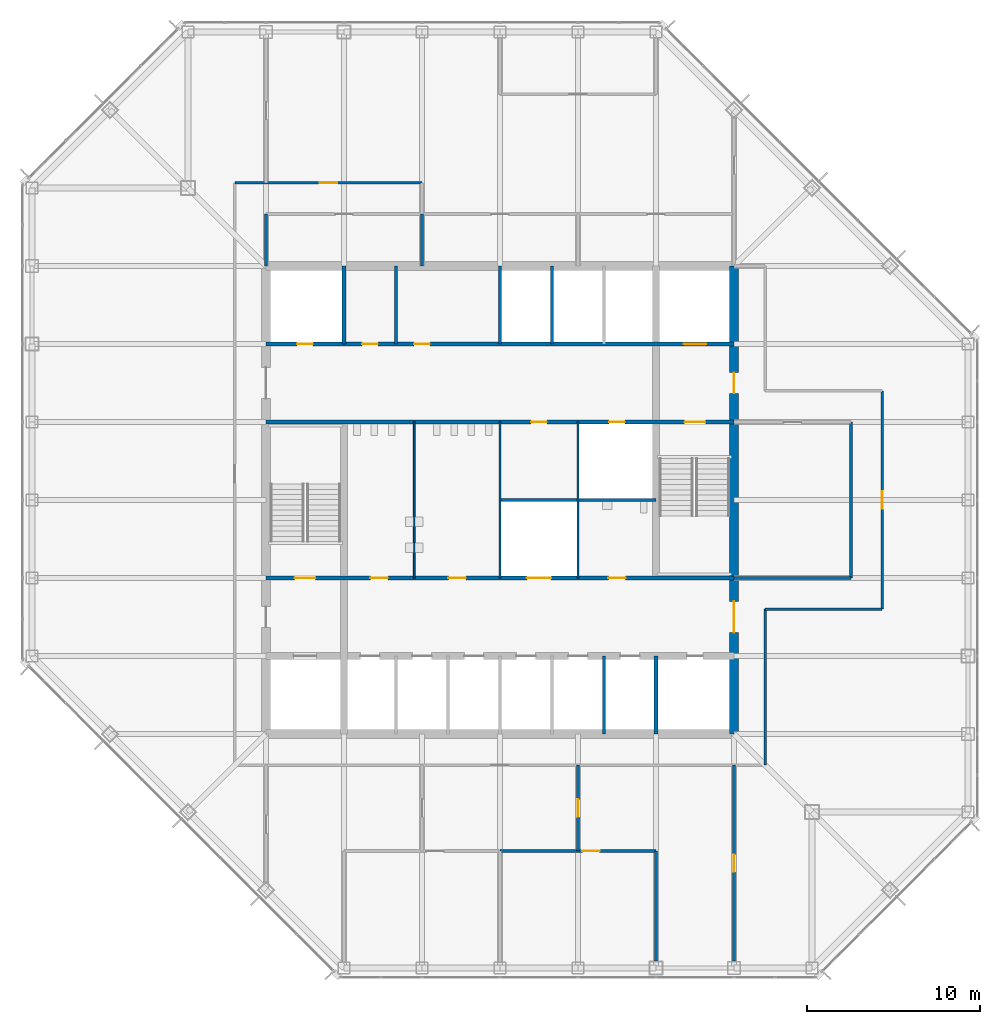
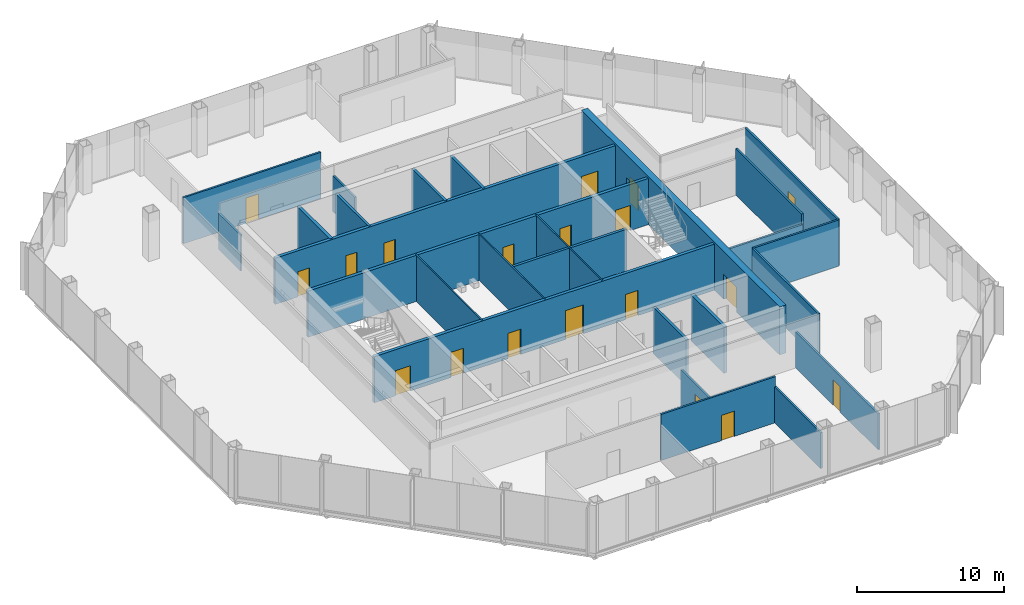
# One storey, part 9 of 12: 26 walls, 19 doors, 19 openings.
"""IFC4 building model written with IfcOpenShell, lengths in metres."""

from ifc_helpers import new_model, si_unit, direction, frame, frame_2d, origin, place, context, subcontext, project, spatial, rectangle, extrude, material, layer, layer_set, type_object, element, fill, save


model = new_model("IFC4")

# Units and contexts
model_context = context("Model", 3, precision=1e-05, world=origin(), true_north=direction((0.0, 1.0)))
body_context = subcontext(model_context, "Body", "Model", "MODEL_VIEW")
ifc_project = project(units=[si_unit("LENGTHUNIT", "METRE"), si_unit("AREAUNIT", "SQUARE_METRE"), si_unit("VOLUMEUNIT", "CUBIC_METRE"), si_unit("PLANEANGLEUNIT", "RADIAN"), si_unit("MASSUNIT", "GRAM", prefix="KILO")], contexts=[model_context])

# Site, building, storey
site_placement = place(None, origin())
site = spatial("IfcSite", under=ifc_project, at=site_placement, CompositionType="ELEMENT")
building_placement = place(site_placement, origin())
building = spatial("IfcBuilding", under=site, at=building_placement, Name="Corais Broadcast Tower", CompositionType="ELEMENT")
storey_placement = place(building_placement, frame((0.0, 0.0, 183.60009765625)))
storey = spatial("IfcBuildingStorey", under=building, at=storey_placement, Name="L42", CompositionType="ELEMENT", Elevation=183.60009765625)

# Walls
ifc_material_1 = material(Name="Concrete blockwork class A, grouted, two-hour", Category="masonry")
ifc_layer_1 = layer(ifc_material_1, 0.25)
ifc_layer_set_1 = layer_set([ifc_layer_1], Name="Concrete blockwork class A, grouted, two-hour")
wall_type_1 = type_object("IfcWallType", Name="Core lobby wall 250", PredefinedType="SOLIDWALL", material=ifc_layer_set_1)
for number, where, z_axis, x_axis, name in (
    (1, (18.0, 36.0, 0.0), (0.0, 0.0, 1.0), (0.0, 1.0, 0.0), "CL2 core shaft wall X18B L42"),
    (2, (36.0, 13.5, 0.0), (0.0, 0.0, 1.0), (0.0, 1.0, 0.0), "CL2 core shaft wall X36A L42"),
):
    element("IfcWall", number, at=place(storey_placement, frame(where, z_axis=z_axis, x_axis=x_axis)), inside=storey, type_object=wall_type_1, Name=name, PredefinedType="SOLIDWALL", context=body_context, shape_type="SweptSolid", body=[
        extrude(rectangle(XDim=4.5, YDim=0.25, at=frame_2d((2.25, 0.0))), origin(), (0.0, 0.0, 1.0), 3.83984375),
    ])

# Wall, openings, doors
wall_1_placement = place(storey_placement, frame((13.5, 22.5, 0.0), z_axis=(0.0, 0.0, 1.0), x_axis=(1.0, 0.0, 0.0)))
wall_1 = element("IfcWall", 3, at=wall_1_placement, inside=storey, type_object=wall_type_1, Name="CL2 core lobby wall Y225 L42", PredefinedType="SOLIDWALL", context=body_context, shape_type="SweptSolid", body=[
    extrude(rectangle(XDim=27.0, YDim=0.25, at=frame_2d((13.5, 0.0))), origin(), (0.0, 0.0, 1.0), 3.83984375),
])
opening_1_placement = place(wall_1_placement, frame((1.64990234375, 0.0, 0.0)))
opening_1 = element("IfcOpeningElement", 4, at=opening_1_placement, cuts=wall_1, Name="Opening FD1", PredefinedType="OPENING", context=body_context, shape_type="SweptSolid", body=[
    extrude(rectangle(XDim=1.199951171875, YDim=2.10009765625, at=frame_2d((0.60009765625, 1.050048828125))), frame((0.0, 0.135009765625, 0.0), z_axis=(0.0, -1.0, 0.0), x_axis=(1.0, 0.0, 0.0)), (0.0, 0.0, 1.0), 0.27001953125),
])
opening_2_placement = place(wall_1_placement, frame((6.02490234375, 0.0, 0.0)))
opening_2 = element("IfcOpeningElement", 5, at=opening_2_placement, cuts=wall_1, Name="Opening WD1", PredefinedType="OPENING", context=body_context, shape_type="SweptSolid", body=[
    extrude(rectangle(XDim=1.0, YDim=2.10009765625, at=frame_2d((0.5, 1.050048828125))), frame((0.0, 0.135009765625, 0.0), z_axis=(0.0, -1.0, 0.0), x_axis=(1.0, 0.0, 0.0)), (0.0, 0.0, 1.0), 0.27001953125),
])
opening_3_placement = place(wall_1_placement, frame((10.52490234375, 0.0, 0.0)))
opening_3 = element("IfcOpeningElement", 6, at=opening_3_placement, cuts=wall_1, Name="Opening WD1", PredefinedType="OPENING", context=body_context, shape_type="SweptSolid", body=[
    extrude(rectangle(XDim=1.0, YDim=2.10009765625, at=frame_2d((0.5, 1.050048828125))), frame((0.0, 0.135009765625, 0.0), z_axis=(0.0, -1.0, 0.0), x_axis=(1.0, 0.0, 0.0)), (0.0, 0.0, 1.0), 0.27001953125),
])
opening_4_placement = place(wall_1_placement, frame((19.75, 0.0, 0.0)))
opening_4 = element("IfcOpeningElement", 7, at=opening_4_placement, cuts=wall_1, Name="Opening WD1", PredefinedType="OPENING", context=body_context, shape_type="SweptSolid", body=[
    extrude(rectangle(XDim=1.0, YDim=2.10009765625, at=frame_2d((0.5, 1.050048828125))), frame((0.0, 0.135009765625, 0.0), z_axis=(0.0, -1.0, 0.0), x_axis=(1.0, 0.0, 0.0)), (0.0, 0.0, 1.0), 0.27001953125),
])
opening_5_placement = place(wall_1_placement, frame((15.050048828125, 0.0, 0.0)))
opening_5 = element("IfcOpeningElement", 8, at=opening_5_placement, cuts=wall_1, Name="Opening LD3", PredefinedType="OPENING", context=body_context, shape_type="SweptSolid", body=[
    extrude(rectangle(XDim=1.39990234375, YDim=2.39990234375, at=frame_2d((0.699951171875, 1.199951171875))), frame((0.0, 0.135009765625, 0.0), z_axis=(0.0, -1.0, 0.0), x_axis=(1.0, 0.0, 0.0)), (0.0, 0.0, 1.0), 0.27001953125),
])
ifc_material_2 = material(Name="Steel fire door", Category="steel")
door_type_1 = type_object("IfcDoorType", Name="Fire door 1200x2100", OperationType="SINGLE_SWING_LEFT", PredefinedType="DOOR", material=ifc_material_2)
door_1_placement = place(opening_1_placement, origin())
door_1 = element("IfcDoor", 9, at=door_1_placement, inside=storey, type_object=door_type_1, Name="FD1 stair A door L42", OperationType="SINGLE_SWING_LEFT", OverallHeight=2.10009765625, OverallWidth=1.199951171875, PredefinedType="DOOR", context=body_context, shape_type="SweptSolid", body=[
    extrude(rectangle(XDim=1.199951171875, YDim=2.10009765625, at=frame_2d((0.60009765625, 1.050048828125))), frame((0.0, 0.02490234375, 0.0), z_axis=(0.0, -1.0, 0.0), x_axis=(1.0, 0.0, 0.0)), (0.0, 0.0, 1.0), 0.050048828125),
])
fill(opening_1, door_1)
ifc_material_3 = material(Name="Stainless steel lift door", Category="steel")
door_type_2 = type_object("IfcDoorType", Name="Service lift landing door 1400x2400", OperationType="SLIDING_TO_LEFT", PredefinedType="DOOR", material=ifc_material_3)
door_2_placement = place(opening_5_placement, origin())
door_2 = element("IfcDoor", 10, at=door_2_placement, inside=storey, type_object=door_type_2, Name="LD3 SL1 landing door L42", OperationType="SLIDING_TO_LEFT", OverallHeight=2.39990234375, OverallWidth=1.39990234375, PredefinedType="DOOR", context=body_context, shape_type="SweptSolid", body=[
    extrude(rectangle(XDim=1.39990234375, YDim=2.39990234375, at=frame_2d((0.699951171875, 1.199951171875))), frame((0.0, 0.02490234375, 0.0), z_axis=(0.0, -1.0, 0.0), x_axis=(1.0, 0.0, 0.0)), (0.0, 0.0, 1.0), 0.050048828125),
])
fill(opening_5, door_2)
ifc_material_4 = material(Name="Timber door", Category="wood")
door_type_3 = type_object("IfcDoorType", Name="Toilet door 1000x2100", OperationType="SINGLE_SWING_LEFT", PredefinedType="DOOR", material=ifc_material_4)
door_3_placement = place(opening_2_placement, origin())
door_3 = element("IfcDoor", 11, at=door_3_placement, inside=storey, type_object=door_type_3, Name="WD1 WC male door L42", OperationType="SINGLE_SWING_LEFT", OverallHeight=2.10009765625, OverallWidth=1.0, PredefinedType="DOOR", context=body_context, shape_type="SweptSolid", body=[
    extrude(rectangle(XDim=1.0, YDim=2.10009765625, at=frame_2d((0.5, 1.050048828125))), frame((0.0, 0.02490234375, 0.0), z_axis=(0.0, -1.0, 0.0), x_axis=(1.0, 0.0, 0.0)), (0.0, 0.0, 1.0), 0.050048828125),
])
fill(opening_2, door_3)
door_4_placement = place(opening_3_placement, origin())
door_4 = element("IfcDoor", 12, at=door_4_placement, inside=storey, type_object=door_type_3, Name="WD1 WC female door L42", OperationType="SINGLE_SWING_LEFT", OverallHeight=2.10009765625, OverallWidth=1.0, PredefinedType="DOOR", context=body_context, shape_type="SweptSolid", body=[
    extrude(rectangle(XDim=1.0, YDim=2.10009765625, at=frame_2d((0.5, 1.050048828125))), frame((0.0, 0.02490234375, 0.0), z_axis=(0.0, -1.0, 0.0), x_axis=(1.0, 0.0, 0.0)), (0.0, 0.0, 1.0), 0.050048828125),
])
fill(opening_3, door_4)
door_5_placement = place(opening_4_placement, origin())
door_5 = element("IfcDoor", 13, at=door_5_placement, inside=storey, type_object=door_type_3, Name="WD1 accessible WC door L42", OperationType="SINGLE_SWING_RIGHT", OverallHeight=2.10009765625, OverallWidth=1.0, PredefinedType="DOOR", context=body_context, shape_type="SweptSolid", body=[
    extrude(rectangle(XDim=1.0, YDim=2.10009765625, at=frame_2d((0.5, 1.050048828125))), frame((0.0, 0.02490234375, 0.0), z_axis=(0.0, -1.0, 0.0), x_axis=(1.0, 0.0, 0.0)), (0.0, 0.0, 1.0), 0.050048828125),
])
fill(opening_4, door_5)

wall_2_placement = place(storey_placement, frame((13.5, 31.5, 0.0), z_axis=(0.0, 0.0, 1.0), x_axis=(1.0, 0.0, 0.0)))
wall_2 = element("IfcWall", 14, at=wall_2_placement, inside=storey, type_object=wall_type_1, Name="CL2 core lobby wall Y315 L42", PredefinedType="SOLIDWALL", context=body_context, shape_type="SweptSolid", body=[
    extrude(rectangle(XDim=27.0, YDim=0.25, at=frame_2d((13.5, 0.0))), origin(), (0.0, 0.0, 1.0), 3.83984375),
])
opening_6_placement = place(wall_2_placement, frame((24.14990234375, 0.0, 0.0)))
opening_6 = element("IfcOpeningElement", 15, at=opening_6_placement, cuts=wall_2, Name="Opening FD1", PredefinedType="OPENING", context=body_context, shape_type="SweptSolid", body=[
    extrude(rectangle(XDim=1.199951171875, YDim=2.10009765625, at=frame_2d((0.60009765625, 1.050048828125))), frame((0.0, 0.135009765625, 0.0), z_axis=(0.0, -1.0, 0.0), x_axis=(1.0, 0.0, 0.0)), (0.0, 0.0, 1.0), 0.27001953125),
])
opening_7_placement = place(wall_2_placement, frame((15.300048828125, 0.0, 0.0)))
opening_7 = element("IfcOpeningElement", 16, at=opening_7_placement, cuts=wall_2, Name="Opening RD1", PredefinedType="OPENING", context=body_context, shape_type="SweptSolid", body=[
    extrude(rectangle(XDim=0.89990234375, YDim=2.10009765625, at=frame_2d((0.449951171875, 1.050048828125))), frame((0.0, 0.135009765625, 0.0), z_axis=(0.0, -1.0, 0.0), x_axis=(1.0, 0.0, 0.0)), (0.0, 0.0, 1.0), 0.27001953125),
])
opening_8_placement = place(wall_2_placement, frame((19.800048828125, 0.0, 0.0)))
opening_8 = element("IfcOpeningElement", 17, at=opening_8_placement, cuts=wall_2, Name="Opening RD1", PredefinedType="OPENING", context=body_context, shape_type="SweptSolid", body=[
    extrude(rectangle(XDim=0.89990234375, YDim=2.10009765625, at=frame_2d((0.449951171875, 1.050048828125))), frame((0.0, 0.135009765625, 0.0), z_axis=(0.0, -1.0, 0.0), x_axis=(1.0, 0.0, 0.0)), (0.0, 0.0, 1.0), 0.27001953125),
])
door_6_placement = place(opening_6_placement, origin())
door_6 = element("IfcDoor", 18, at=door_6_placement, inside=storey, type_object=door_type_1, Name="FD1 stair B door L42", OperationType="SINGLE_SWING_RIGHT", OverallHeight=2.10009765625, OverallWidth=1.199951171875, PredefinedType="DOOR", context=body_context, shape_type="SweptSolid", body=[
    extrude(rectangle(XDim=1.199951171875, YDim=2.10009765625, at=frame_2d((0.60009765625, 1.050048828125))), frame((0.0, 0.02490234375, 0.0), z_axis=(0.0, -1.0, 0.0), x_axis=(1.0, 0.0, 0.0)), (0.0, 0.0, 1.0), 0.050048828125),
])
fill(opening_6, door_6)
ifc_material_5 = material(Name="Steel fire door", Category="steel")
door_type_4 = type_object("IfcDoorType", Name="Riser door 900x2100", OperationType="SINGLE_SWING_LEFT", PredefinedType="DOOR", material=ifc_material_5)
door_7_placement = place(opening_7_placement, origin())
door_7 = element("IfcDoor", 19, at=door_7_placement, inside=storey, type_object=door_type_4, Name="RD1 print room door L42", OperationType="SINGLE_SWING_RIGHT", OverallHeight=2.10009765625, OverallWidth=0.89990234375, PredefinedType="DOOR", context=body_context, shape_type="SweptSolid", body=[
    extrude(rectangle(XDim=0.89990234375, YDim=2.10009765625, at=frame_2d((0.449951171875, 1.050048828125))), frame((0.0, 0.02490234375, 0.0), z_axis=(0.0, -1.0, 0.0), x_axis=(1.0, 0.0, 0.0)), (0.0, 0.0, 1.0), 0.050048828125),
])
fill(opening_7, door_7)
door_8_placement = place(opening_8_placement, origin())
door_8 = element("IfcDoor", 20, at=door_8_placement, inside=storey, type_object=door_type_4, Name="RD1 riser door L42", OperationType="SINGLE_SWING_RIGHT", OverallHeight=2.10009765625, OverallWidth=0.89990234375, PredefinedType="DOOR", context=body_context, shape_type="SweptSolid", body=[
    extrude(rectangle(XDim=0.89990234375, YDim=2.10009765625, at=frame_2d((0.449951171875, 1.050048828125))), frame((0.0, 0.02490234375, 0.0), z_axis=(0.0, -1.0, 0.0), x_axis=(1.0, 0.0, 0.0)), (0.0, 0.0, 1.0), 0.050048828125),
])
fill(opening_8, door_8)

ifc_material_6 = material(Name="Concrete C50/60", Category="concrete")
ifc_layer_2 = layer(ifc_material_6, 0.5)
ifc_layer_set_2 = layer_set([ifc_layer_2], Name="Concrete C50/60")
wall_type_2 = type_object("IfcWallType", Name="Core wall 500", PredefinedType="SHEAR", material=ifc_layer_set_2)
wall_3_placement = place(storey_placement, frame((40.5, 13.5, 0.0), z_axis=(0.0, 0.0, 1.0), x_axis=(0.0, 1.0, 0.0)))
wall_3 = element("IfcWall", 21, at=wall_3_placement, inside=storey, type_object=wall_type_2, Name="CR500 core wall E L42", PredefinedType="SHEAR", context=body_context, shape_type="SweptSolid", body=[
    extrude(rectangle(XDim=27.0, YDim=0.5, at=frame_2d((13.5, 0.0))), origin(), (0.0, 0.0, 1.0), 4.0),
])
opening_9_placement = place(wall_3_placement, frame((5.85009765625, 0.0, 0.0)))
opening_9 = element("IfcOpeningElement", 22, at=opening_9_placement, cuts=wall_3, Name="Opening FD2", PredefinedType="OPENING", context=body_context, shape_type="SweptSolid", body=[
    extrude(rectangle(XDim=1.800048828125, YDim=2.10009765625, at=frame_2d((0.89990234375, 1.050048828125))), frame((0.0, 0.260009765625, 0.0), z_axis=(0.0, -1.0, 0.0), x_axis=(1.0, 0.0, 0.0)), (0.0, 0.0, 1.0), 0.52001953125),
])
opening_10_placement = place(wall_3_placement, frame((19.64990234375, 0.0, 0.0)))
opening_10 = element("IfcOpeningElement", 23, at=opening_10_placement, cuts=wall_3, Name="Opening FD1", PredefinedType="OPENING", context=body_context, shape_type="SweptSolid", body=[
    extrude(rectangle(XDim=1.199951171875, YDim=2.10009765625, at=frame_2d((0.60009765625, 1.050048828125))), frame((0.0, 0.260009765625, 0.0), z_axis=(0.0, -1.0, 0.0), x_axis=(1.0, 0.0, 0.0)), (0.0, 0.0, 1.0), 0.52001953125),
])
door_9_placement = place(opening_10_placement, origin())
door_9 = element("IfcDoor", 24, at=door_9_placement, inside=storey, type_object=door_type_1, Name="FD1 fire lobby B door L42", OperationType="SINGLE_SWING_RIGHT", OverallHeight=2.10009765625, OverallWidth=1.199951171875, PredefinedType="DOOR", context=body_context, shape_type="SweptSolid", body=[
    extrude(rectangle(XDim=1.199951171875, YDim=2.10009765625, at=frame_2d((0.60009765625, 1.050048828125))), frame((0.0, 0.02490234375, 0.0), z_axis=(0.0, -1.0, 0.0), x_axis=(1.0, 0.0, 0.0)), (0.0, 0.0, 1.0), 0.050048828125),
])
fill(opening_10, door_9)
ifc_material_7 = material(Name="Steel fire door", Category="steel")
door_type_5 = type_object("IfcDoorType", Name="Fire door pair 1800x2100", OperationType="DOUBLE_DOOR_SINGLE_SWING", PredefinedType="DOOR", material=ifc_material_7)
door_10_placement = place(opening_9_placement, origin())
door_10 = element("IfcDoor", 25, at=door_10_placement, inside=storey, type_object=door_type_5, Name="FD2 lift lobby door L42", OperationType="SINGLE_SWING_LEFT", OverallHeight=2.10009765625, OverallWidth=1.800048828125, PredefinedType="DOOR", context=body_context, shape_type="SweptSolid", body=[
    extrude(rectangle(XDim=1.800048828125, YDim=2.10009765625, at=frame_2d((0.89990234375, 1.050048828125))), frame((0.0, 0.02490234375, 0.0), z_axis=(0.0, -1.0, 0.0), x_axis=(1.0, 0.0, 0.0)), (0.0, 0.0, 1.0), 0.050048828125),
])
fill(opening_9, door_10)

ifc_material_8 = material(Name="Concrete blockwork class A, grouted, four-hour", Category="masonry")
ifc_layer_3 = layer(ifc_material_8, 0.25)
ifc_layer_set_3 = layer_set([ifc_layer_3], Name="Concrete blockwork class A, grouted, four-hour")
wall_type_3 = type_object("IfcWallType", Name="Emergency lift shaft wall 250", PredefinedType="SOLIDWALL", material=ifc_layer_set_3)
wall_4_placement = place(storey_placement, frame((13.5, 36.0, 0.0), z_axis=(0.0, 0.0, 1.0), x_axis=(1.0, 0.0, 0.0)))
wall_4 = element("IfcWall", 26, at=wall_4_placement, inside=storey, type_object=wall_type_3, Name="LS2 core lobby wall Y36 L42", PredefinedType="SOLIDWALL", context=body_context, shape_type="SweptSolid", body=[
    extrude(rectangle(XDim=27.0, YDim=0.25, at=frame_2d((13.5, 0.0))), origin(), (0.0, 0.0, 1.0), 3.83984375),
])
opening_11_placement = place(wall_4_placement, frame((1.800048828125, 0.0, 0.0)))
opening_11 = element("IfcOpeningElement", 27, at=opening_11_placement, cuts=wall_4, Name="Opening RD1", PredefinedType="OPENING", context=body_context, shape_type="SweptSolid", body=[
    extrude(rectangle(XDim=0.89990234375, YDim=2.10009765625, at=frame_2d((0.449951171875, 1.050048828125))), frame((0.0, 0.135009765625, 0.0), z_axis=(0.0, -1.0, 0.0), x_axis=(1.0, 0.0, 0.0)), (0.0, 0.0, 1.0), 0.27001953125),
])
opening_12_placement = place(wall_4_placement, frame((5.550048828125, 0.0, 0.0)))
opening_12 = element("IfcOpeningElement", 28, at=opening_12_placement, cuts=wall_4, Name="Opening RD1", PredefinedType="OPENING", context=body_context, shape_type="SweptSolid", body=[
    extrude(rectangle(XDim=0.89990234375, YDim=2.10009765625, at=frame_2d((0.449951171875, 1.050048828125))), frame((0.0, 0.135009765625, 0.0), z_axis=(0.0, -1.0, 0.0), x_axis=(1.0, 0.0, 0.0)), (0.0, 0.0, 1.0), 0.27001953125),
])
opening_13_placement = place(wall_4_placement, frame((8.550048828125, 0.0, 0.0)))
opening_13 = element("IfcOpeningElement", 29, at=opening_13_placement, cuts=wall_4, Name="Opening RD1", PredefinedType="OPENING", context=body_context, shape_type="SweptSolid", body=[
    extrude(rectangle(XDim=0.89990234375, YDim=2.10009765625, at=frame_2d((0.449951171875, 1.050048828125))), frame((0.0, 0.135009765625, 0.0), z_axis=(0.0, -1.0, 0.0), x_axis=(1.0, 0.0, 0.0)), (0.0, 0.0, 1.0), 0.27001953125),
])
opening_14_placement = place(wall_4_placement, frame((24.10009765625, 0.0, 0.0)))
opening_14 = element("IfcOpeningElement", 30, at=opening_14_placement, cuts=wall_4, Name="Opening LD2", PredefinedType="OPENING", context=body_context, shape_type="SweptSolid", body=[
    extrude(rectangle(XDim=1.300048828125, YDim=2.199951171875, at=frame_2d((0.64990234375, 1.10009765625))), frame((0.0, 0.135009765625, 0.0), z_axis=(0.0, -1.0, 0.0), x_axis=(1.0, 0.0, 0.0)), (0.0, 0.0, 1.0), 0.27001953125),
])
ifc_material_9 = material(Name="Stainless steel lift door", Category="steel")
door_type_6 = type_object("IfcDoorType", Name="Lift landing door 1300x2200", OperationType="SLIDING_TO_LEFT", PredefinedType="DOOR", material=ifc_material_9)
door_11_placement = place(opening_14_placement, origin())
door_11 = element("IfcDoor", 31, at=door_11_placement, inside=storey, type_object=door_type_6, Name="LD2 FL2 landing door L42", OperationType="SLIDING_TO_LEFT", OverallHeight=2.199951171875, OverallWidth=1.300048828125, PredefinedType="DOOR", context=body_context, shape_type="SweptSolid", body=[
    extrude(rectangle(XDim=1.300048828125, YDim=2.199951171875, at=frame_2d((0.64990234375, 1.10009765625))), frame((0.0, 0.02490234375, 0.0), z_axis=(0.0, -1.0, 0.0), x_axis=(1.0, 0.0, 0.0)), (0.0, 0.0, 1.0), 0.050048828125),
])
fill(opening_14, door_11)
door_12_placement = place(opening_11_placement, origin())
door_12 = element("IfcDoor", 32, at=door_12_placement, inside=storey, type_object=door_type_4, Name="RD1 riser door L42", OperationType="SINGLE_SWING_LEFT", OverallHeight=2.10009765625, OverallWidth=0.89990234375, PredefinedType="DOOR", context=body_context, shape_type="SweptSolid", body=[
    extrude(rectangle(XDim=0.89990234375, YDim=2.10009765625, at=frame_2d((0.449951171875, 1.050048828125))), frame((0.0, 0.02490234375, 0.0), z_axis=(0.0, -1.0, 0.0), x_axis=(1.0, 0.0, 0.0)), (0.0, 0.0, 1.0), 0.050048828125),
])
fill(opening_11, door_12)
door_13_placement = place(opening_12_placement, origin())
door_13 = element("IfcDoor", 33, at=door_13_placement, inside=storey, type_object=door_type_4, Name="RD1 media store door L42", OperationType="SINGLE_SWING_LEFT", OverallHeight=2.10009765625, OverallWidth=0.89990234375, PredefinedType="DOOR", context=body_context, shape_type="SweptSolid", body=[
    extrude(rectangle(XDim=0.89990234375, YDim=2.10009765625, at=frame_2d((0.449951171875, 1.050048828125))), frame((0.0, 0.02490234375, 0.0), z_axis=(0.0, -1.0, 0.0), x_axis=(1.0, 0.0, 0.0)), (0.0, 0.0, 1.0), 0.050048828125),
])
fill(opening_12, door_13)
door_14_placement = place(opening_13_placement, origin())
door_14 = element("IfcDoor", 34, at=door_14_placement, inside=storey, type_object=door_type_4, Name="RD1 tea point door L42", OperationType="SINGLE_SWING_LEFT", OverallHeight=2.10009765625, OverallWidth=0.89990234375, PredefinedType="DOOR", context=body_context, shape_type="SweptSolid", body=[
    extrude(rectangle(XDim=0.89990234375, YDim=2.10009765625, at=frame_2d((0.449951171875, 1.050048828125))), frame((0.0, 0.02490234375, 0.0), z_axis=(0.0, -1.0, 0.0), x_axis=(1.0, 0.0, 0.0)), (0.0, 0.0, 1.0), 0.050048828125),
])
fill(opening_13, door_14)

# Wall, opening, door
ifc_material_10 = material(Name="Gypsum board on steel studs", Category="steel")
ifc_layer_4 = layer(ifc_material_10, 0.14990234375)
ifc_layer_set_4 = layer_set([ifc_layer_4], Name="Gypsum board on steel studs")
wall_type_4 = type_object("IfcWallType", Name="Partition 150", PredefinedType="PARTITIONING", material=ifc_layer_set_4)
wall_5_placement = place(storey_placement, frame((49.050048828125, 20.699951171875, 0.0), z_axis=(0.0, 0.0, 1.0), x_axis=(0.0, 1.0, 0.0)))
wall_5 = element("IfcWall", 35, at=wall_5_placement, inside=storey, type_object=wall_type_4, Name="IW3 corridor wall L42", PredefinedType="PARTITIONING", context=body_context, shape_type="SweptSolid", body=[
    extrude(rectangle(XDim=12.60009765625, YDim=0.14990234375, at=frame_2d((6.300048828125, 0.0))), origin(), (0.0, 0.0, 1.0), 3.83984375),
])
opening_15_placement = place(wall_5_placement, frame((5.800048828125, 0.0, 0.0)))
opening_15 = element("IfcOpeningElement", 36, at=opening_15_placement, cuts=wall_5, Name="Opening D1", PredefinedType="OPENING", context=body_context, shape_type="SweptSolid", body=[
    extrude(rectangle(XDim=1.0, YDim=2.10009765625, at=frame_2d((0.5, 1.050048828125))), frame((0.0, 0.0849609375, 0.0), z_axis=(0.0, -1.0, 0.0), x_axis=(1.0, 0.0, 0.0)), (0.0, 0.0, 1.0), 0.169921875),
])
ifc_material_11 = material(Name="Timber door", Category="wood")
door_type_7 = type_object("IfcDoorType", Name="Single door 1000x2100", OperationType="SINGLE_SWING_LEFT", PredefinedType="DOOR", material=ifc_material_11)
door_15_placement = place(opening_15_placement, origin())
door_15 = element("IfcDoor", 37, at=door_15_placement, inside=storey, type_object=door_type_7, Name="D1 workplace door L42", OperationType="SINGLE_SWING_LEFT", OverallHeight=2.10009765625, OverallWidth=1.0, PredefinedType="DOOR", context=body_context, shape_type="SweptSolid", body=[
    extrude(rectangle(XDim=1.0, YDim=2.10009765625, at=frame_2d((0.5, 1.050048828125))), frame((0.0, 0.02490234375, 0.0), z_axis=(0.0, -1.0, 0.0), x_axis=(1.0, 0.0, 0.0)), (0.0, 0.0, 1.0), 0.050048828125),
])
fill(opening_15, door_15)

wall_6_placement = place(storey_placement, frame((22.5, 45.300048828125, 0.0), z_axis=(0.0, 0.0, 1.0), x_axis=(-1.0, 0.0, 0.0)))
wall_6 = element("IfcWall", 38, at=wall_6_placement, inside=storey, type_object=wall_type_4, Name="IW3 corridor wall L42", PredefinedType="PARTITIONING", context=body_context, shape_type="SweptSolid", body=[
    extrude(rectangle(XDim=10.800048828125, YDim=0.14990234375, at=frame_2d((5.39990234375, 0.0))), origin(), (0.0, 0.0, 1.0), 3.83984375),
])
opening_16_placement = place(wall_6_placement, frame((4.89990234375, 0.0, 0.0)))
opening_16 = element("IfcOpeningElement", 39, at=opening_16_placement, cuts=wall_6, Name="Opening D1", PredefinedType="OPENING", context=body_context, shape_type="SweptSolid", body=[
    extrude(rectangle(XDim=1.0, YDim=2.10009765625, at=frame_2d((0.5, 1.050048828125))), frame((0.0, 0.0849609375, 0.0), z_axis=(0.0, -1.0, 0.0), x_axis=(1.0, 0.0, 0.0)), (0.0, 0.0, 1.0), 0.169921875),
])
door_16_placement = place(opening_16_placement, origin())
door_16 = element("IfcDoor", 40, at=door_16_placement, inside=storey, type_object=door_type_7, Name="D1 workplace door L42", OperationType="SINGLE_SWING_LEFT", OverallHeight=2.10009765625, OverallWidth=1.0, PredefinedType="DOOR", context=body_context, shape_type="SweptSolid", body=[
    extrude(rectangle(XDim=1.0, YDim=2.10009765625, at=frame_2d((0.5, 1.050048828125))), frame((0.0, 0.02490234375, 0.0), z_axis=(0.0, -1.0, 0.0), x_axis=(1.0, 0.0, 0.0)), (0.0, 0.0, 1.0), 0.050048828125),
])
fill(opening_16, door_16)

# Walls
wall_7_placement = place(storey_placement, frame((42.300048828125, 11.699951171875, 0.0), z_axis=(0.0, 0.0, 1.0), x_axis=(0.0, 1.0, 0.0)))
element("IfcWall", 41, at=wall_7_placement, inside=storey, type_object=wall_type_4, Name="IW3 corridor wall L42", PredefinedType="PARTITIONING", context=body_context, shape_type="SweptSolid", body=[
    extrude(rectangle(XDim=9.0, YDim=0.14990234375, at=frame_2d((4.5, 0.0))), origin(), (0.0, 0.0, 1.0), 3.83984375),
])
wall_8_placement = place(storey_placement, frame((42.300048828125, 20.699951171875, 0.0), z_axis=(0.0, 0.0, 1.0), x_axis=(1.0, 0.0, 0.0)))
element("IfcWall", 42, at=wall_8_placement, inside=storey, type_object=wall_type_4, Name="IW3 corridor wall L42", PredefinedType="PARTITIONING", context=body_context, shape_type="SweptSolid", body=[
    extrude(rectangle(XDim=6.75, YDim=0.14990234375, at=frame_2d((3.375, 0.0))), origin(), (0.0, 0.0, 1.0), 3.83984375),
])
wall_9_placement = place(storey_placement, frame((36.0, 0.409912109375, 0.0), z_axis=(0.0, 0.0, 1.0), x_axis=(0.0, 1.0, 0.0)))
element("IfcWall", 43, at=wall_9_placement, inside=storey, type_object=wall_type_4, Name="IW3 partition L42", PredefinedType="PARTITIONING", context=body_context, shape_type="SweptSolid", body=[
    extrude(rectangle(XDim=6.340087890625, YDim=0.14990234375, at=frame_2d((3.169921875, 0.0))), origin(), (0.0, 0.0, 1.0), 2.989013671875),
])

# Wall, opening, door
wall_10_placement = place(storey_placement, frame((36.0, 6.75, 0.0), z_axis=(0.0, 0.0, 1.0), x_axis=(-1.0, 0.0, 0.0)))
wall_10 = element("IfcWall", 44, at=wall_10_placement, inside=storey, type_object=wall_type_4, Name="IW3 partition L42", PredefinedType="PARTITIONING", context=body_context, shape_type="SweptSolid", body=[
    extrude(rectangle(XDim=9.0, YDim=0.14990234375, at=frame_2d((4.5, 0.0))), origin(), (0.0, 0.0, 1.0), 3.83984375),
])
opening_17_placement = place(wall_10_placement, frame((3.25, 0.0, 0.0)))
opening_17 = element("IfcOpeningElement", 45, at=opening_17_placement, cuts=wall_10, Name="Opening D1", PredefinedType="OPENING", context=body_context, shape_type="SweptSolid", body=[
    extrude(rectangle(XDim=1.0, YDim=2.10009765625, at=frame_2d((0.5, 1.050048828125))), frame((0.0, 0.0849609375, 0.0), z_axis=(0.0, -1.0, 0.0), x_axis=(1.0, 0.0, 0.0)), (0.0, 0.0, 1.0), 0.169921875),
])
door_17_placement = place(opening_17_placement, origin())
door_17 = element("IfcDoor", 46, at=door_17_placement, inside=storey, type_object=door_type_7, Name="D1 Team office door", OperationType="SINGLE_SWING_LEFT", OverallHeight=2.10009765625, OverallWidth=1.0, PredefinedType="DOOR", context=body_context, shape_type="SweptSolid", body=[
    extrude(rectangle(XDim=1.0, YDim=2.10009765625, at=frame_2d((0.5, 1.050048828125))), frame((0.0, 0.02490234375, 0.0), z_axis=(0.0, -1.0, 0.0), x_axis=(1.0, 0.0, 0.0)), (0.0, 0.0, 1.0), 0.050048828125),
])
fill(opening_17, door_17)

# Walls
wall_11_placement = place(storey_placement, frame((40.5, 22.5, 0.0), z_axis=(0.0, 0.0, 1.0), x_axis=(1.0, 0.0, 0.0)))
element("IfcWall", 47, at=wall_11_placement, inside=storey, type_object=wall_type_4, Name="IW3 partition L42", PredefinedType="PARTITIONING", context=body_context, shape_type="SweptSolid", body=[
    extrude(rectangle(XDim=6.75, YDim=0.14990234375, at=frame_2d((3.375, 0.0))), origin(), (0.0, 0.0, 1.0), 2.989013671875),
])
wall_12_placement = place(storey_placement, frame((47.25, 22.5, 0.0), z_axis=(0.0, 0.0, 1.0), x_axis=(0.0, 1.0, 0.0)))
element("IfcWall", 48, at=wall_12_placement, inside=storey, type_object=wall_type_4, Name="IW3 partition L42", PredefinedType="PARTITIONING", context=body_context, shape_type="SweptSolid", body=[
    extrude(rectangle(XDim=9.0, YDim=0.14990234375, at=frame_2d((4.5, 0.0))), origin(), (0.0, 0.0, 1.0), 3.83984375),
])
for number, where, z_axis, x_axis, name in (
    (49, (22.5, 40.5, 0.0), (0.0, 0.0, 1.0), (0.0, 1.0, 0.0), "IW3 partition L42"),
    (50, (13.5, 43.5, 0.0), (0.0, 0.0, 1.0), (0.0, -1.0, 0.0), "IW3 partition L42"),
):
    element("IfcWall", number, at=place(storey_placement, frame(where, z_axis=z_axis, x_axis=x_axis)), inside=storey, type_object=wall_type_4, Name=name, PredefinedType="PARTITIONING", context=body_context, shape_type="SweptSolid", body=[
        extrude(rectangle(XDim=3.0, YDim=0.14990234375, at=frame_2d((1.5, 0.0))), origin(), (0.0, 0.0, 1.0), 2.989013671875),
    ])

# Wall, opening, door
wall_13_placement = place(storey_placement, frame((40.5, 0.39501953125, 0.0), z_axis=(0.0, 0.0, 1.0), x_axis=(0.0, 1.0, 0.0)))
wall_13 = element("IfcWall", 51, at=wall_13_placement, inside=storey, type_object=wall_type_4, Name="IW3 partition L42", PredefinedType="PARTITIONING", context=body_context, shape_type="SweptSolid", body=[
    extrude(rectangle(XDim=11.304931640625, YDim=0.14990234375, at=frame_2d((5.65234375, 0.0))), origin(), (0.0, 0.0, 1.0), 2.989013671875),
])
opening_18_placement = place(wall_13_placement, frame((5.152587890625, 0.0, 0.0)))
opening_18 = element("IfcOpeningElement", 52, at=opening_18_placement, cuts=wall_13, Name="Opening D1", PredefinedType="OPENING", context=body_context, shape_type="SweptSolid", body=[
    extrude(rectangle(XDim=1.0, YDim=2.10009765625, at=frame_2d((0.5, 1.050048828125))), frame((0.0, 0.0849609375, 0.0), z_axis=(0.0, -1.0, 0.0), x_axis=(1.0, 0.0, 0.0)), (0.0, 0.0, 1.0), 0.169921875),
])
door_18_placement = place(opening_18_placement, origin())
door_18 = element("IfcDoor", 53, at=door_18_placement, inside=storey, type_object=door_type_7, Name="D1 team room door L42", OperationType="SINGLE_SWING_LEFT", OverallHeight=2.10009765625, OverallWidth=1.0, PredefinedType="DOOR", context=body_context, shape_type="SweptSolid", body=[
    extrude(rectangle(XDim=1.0, YDim=2.10009765625, at=frame_2d((0.5, 1.050048828125))), frame((0.0, 0.02490234375, 0.0), z_axis=(0.0, -1.0, 0.0), x_axis=(1.0, 0.0, 0.0)), (0.0, 0.0, 1.0), 0.050048828125),
])
fill(opening_18, door_18)

wall_14_placement = place(storey_placement, frame((31.5, 6.75, 0.0), z_axis=(0.0, 0.0, 1.0), x_axis=(0.0, 1.0, 0.0)))
wall_14 = element("IfcWall", 54, at=wall_14_placement, inside=storey, type_object=wall_type_4, Name="IW3 partition L42", PredefinedType="PARTITIONING", context=body_context, shape_type="SweptSolid", body=[
    extrude(rectangle(XDim=4.949951171875, YDim=0.14990234375, at=frame_2d((2.47509765625, 0.0))), origin(), (0.0, 0.0, 1.0), 2.989013671875),
])
opening_19_placement = place(wall_14_placement, frame((1.97509765625, 0.0, 0.0)))
opening_19 = element("IfcOpeningElement", 55, at=opening_19_placement, cuts=wall_14, Name="Opening D1", PredefinedType="OPENING", context=body_context, shape_type="SweptSolid", body=[
    extrude(rectangle(XDim=1.0, YDim=2.10009765625, at=frame_2d((0.5, 1.050048828125))), frame((0.0, 0.0849609375, 0.0), z_axis=(0.0, -1.0, 0.0), x_axis=(1.0, 0.0, 0.0)), (0.0, 0.0, 1.0), 0.169921875),
])
door_19_placement = place(opening_19_placement, origin())
door_19 = element("IfcDoor", 56, at=door_19_placement, inside=storey, type_object=door_type_7, Name="D1 team room door L42", OperationType="SINGLE_SWING_LEFT", OverallHeight=2.10009765625, OverallWidth=1.0, PredefinedType="DOOR", context=body_context, shape_type="SweptSolid", body=[
    extrude(rectangle(XDim=1.0, YDim=2.10009765625, at=frame_2d((0.5, 1.050048828125))), frame((0.0, 0.02490234375, 0.0), z_axis=(0.0, -1.0, 0.0), x_axis=(1.0, 0.0, 0.0)), (0.0, 0.0, 1.0), 0.050048828125),
])
fill(opening_19, door_19)

# Walls
ifc_material_12 = material(Name="Concrete blockwork class A, grouted, two-hour", Category="masonry")
ifc_layer_5 = layer(ifc_material_12, 0.199951171875)
ifc_layer_set_5 = layer_set([ifc_layer_5], Name="Concrete blockwork class A, grouted, two-hour")
wall_type_5 = type_object("IfcWallType", Name="Shaft wall 200", PredefinedType="PARTITIONING", material=ifc_layer_set_5)
for number, where, z_axis, x_axis, name in (
    (57, (21.0, 36.0, 0.0), (0.0, 0.0, 1.0), (0.0, 1.0, 0.0), "IW1 shaft wall L42"),
    (58, (27.0, 36.0, 0.0), (0.0, 0.0, 1.0), (0.0, 1.0, 0.0), "IW1 shaft wall L42"),
    (59, (30.0, 36.0, 0.0), (0.0, 0.0, 1.0), (0.0, 1.0, 0.0), "IW1 shaft wall L42"),
    (60, (33.0, 13.5, 0.0), (0.0, 0.0, 1.0), (0.0, 1.0, 0.0), "IW1 shaft wall L42"),
):
    element("IfcWall", number, at=place(storey_placement, frame(where, z_axis=z_axis, x_axis=x_axis)), inside=storey, type_object=wall_type_5, Name=name, PredefinedType="PARTITIONING", context=body_context, shape_type="SweptSolid", body=[
        extrude(rectangle(XDim=4.5, YDim=0.199951171875, at=frame_2d((2.25, 0.0))), origin(), (0.0, 0.0, 1.0), 3.83984375),
    ])
wall_15_placement = place(storey_placement, frame((27.0, 27.0, 0.0), z_axis=(0.0, 0.0, 1.0), x_axis=(1.0, 0.0, 0.0)))
element("IfcWall", 61, at=wall_15_placement, inside=storey, type_object=wall_type_5, Name="IW1 shaft wall L42", PredefinedType="PARTITIONING", context=body_context, shape_type="SweptSolid", body=[
    extrude(rectangle(XDim=9.0, YDim=0.199951171875, at=frame_2d((4.5, 0.0))), origin(), (0.0, 0.0, 1.0), 3.83984375),
])
ifc_material_13 = material(Name="Dense concrete blockwork class A, tiled both faces", Category="masonry")
ifc_layer_6 = layer(ifc_material_13, 0.10009765625)
ifc_layer_set_6 = layer_set([ifc_layer_6], Name="Dense concrete blockwork class A, tiled both faces")
wall_type_6 = type_object("IfcWallType", Name="Toilet wall 100", PredefinedType="PLUMBINGWALL", material=ifc_layer_set_6)
for number, where, z_axis, x_axis, name in (
    (62, (22.050048828125, 22.5, 0.0), (0.0, 0.0, 1.0), (0.0, 1.0, 0.0), "IW2 toilet wall L42"),
    (63, (27.0, 22.5, 0.0), (0.0, 0.0, 1.0), (0.0, 1.0, 0.0), "IW2 toilet wall L42"),
    (64, (31.5, 22.5, 0.0), (0.0, 0.0, 1.0), (0.0, 1.0, 0.0), "IW2 toilet wall L42"),
):
    element("IfcWall", number, at=place(storey_placement, frame(where, z_axis=z_axis, x_axis=x_axis)), inside=storey, type_object=wall_type_6, Name=name, PredefinedType="PLUMBINGWALL", context=body_context, shape_type="SweptSolid", body=[
        extrude(rectangle(XDim=9.0, YDim=0.10009765625, at=frame_2d((4.5, 0.0))), origin(), (0.0, 0.0, 1.0), 3.83984375),
    ])

save(model, "model.ifc")
